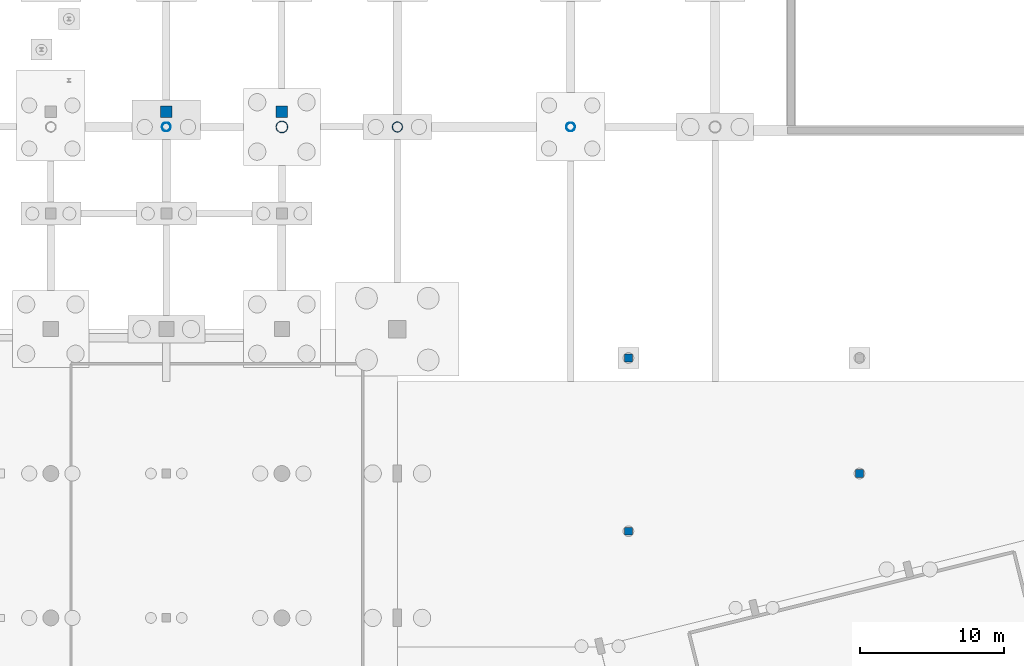
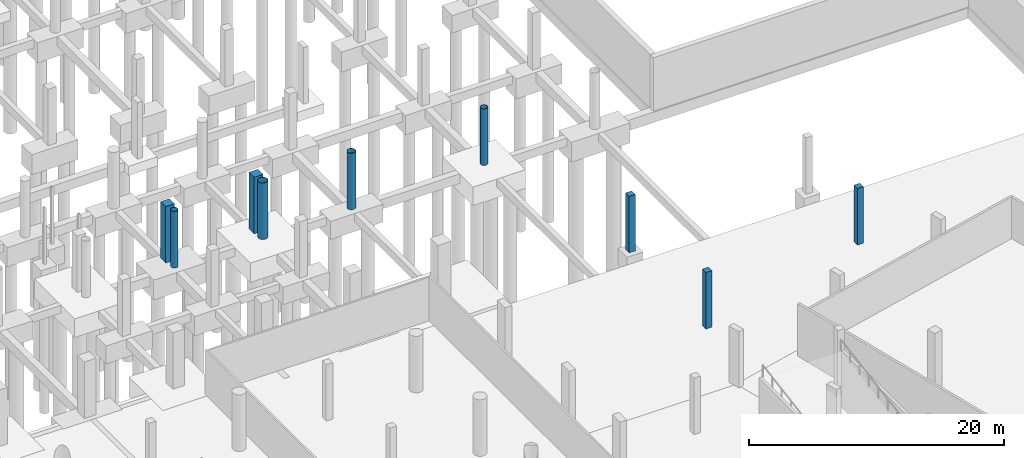
# One storey, part 37 of 65: 9 columns.
"""IFC4 building model written with IfcOpenShell, lengths in metres."""

from ifc_helpers import new_model, si_unit, direction, frame, origin, origin_2d, place, context, subcontext, project, spatial, rectangle, hollow_circle, extrude, material, material_profile, profile_set, type_object, element, save


model = new_model("IFC4")

# Units and contexts
model_context = context("Model", 3, precision=1e-05, world=origin(), true_north=direction((0.0, 1.0)))
body_context = subcontext(model_context, "Body", "Model", "MODEL_VIEW")
ifc_project = project(units=[si_unit("LENGTHUNIT", "METRE"), si_unit("AREAUNIT", "SQUARE_METRE"), si_unit("VOLUMEUNIT", "CUBIC_METRE"), si_unit("PLANEANGLEUNIT", "RADIAN"), si_unit("MASSUNIT", "GRAM", prefix="KILO")], contexts=[model_context])

# Site, building, storey
site_placement = place(None, origin())
site = spatial("IfcSite", under=ifc_project, at=site_placement, CompositionType="ELEMENT")
building_placement = place(site_placement, origin())
building = spatial("IfcBuilding", under=site, at=building_placement, Name="Khorjan Park Terminus", CompositionType="ELEMENT")
storey_placement = place(building_placement, frame((0.0, 0.0, -5.4)))
storey = spatial("IfcBuildingStorey", under=building, at=storey_placement, Name="B1", CompositionType="ELEMENT", Elevation=-5.4)

# Columns
ifc_material_1 = material(Name="Concrete C40/50", Category="concrete")
ifc_material_profile_1 = material_profile(ifc_material_1, rectangle(XDim=0.55, YDim=0.55, at=origin_2d()), Name="RC 550x550")
ifc_profile_set_1 = profile_set([ifc_material_profile_1], Name="Concrete C40/50")
column_type_1 = type_object("IfcColumnType", Name="COL-RC550", PredefinedType="COLUMN", material=ifc_profile_set_1)
for number, where, z_axis, x_axis, name in (
    (1, (152.0, 74.0, 0.0), (0.0, 0.0, 1.0), (1.0, 0.0, 0.0), "Structural column C-RC55 (B1 #986)"),
    (2, (152.0, 86.0, 0.0), (0.0, 0.0, 1.0), (1.0, 0.0, 0.0), "Structural column C-RC55 (B1 #987)"),
    (3, (168.0, 78.0, 0.0), (0.0, 0.0, 1.0), (1.0, 0.0, 0.0), "Structural column C-RC55 (B1 #988)"),
):
    element("IfcColumn", number, at=place(storey_placement, frame(where, z_axis=z_axis, x_axis=x_axis)), inside=storey, type_object=column_type_1, Name=name, PredefinedType="COLUMN", context=body_context, shape_type="SweptSolid", body=[
        extrude(rectangle(XDim=0.55, YDim=0.55, at=origin_2d()), origin(), (0.0, 0.0, 1.0), 5.4),
    ])
ifc_material_profile_2 = material_profile(ifc_material_1, rectangle(XDim=0.8, YDim=0.8, at=origin_2d()), Name="RC 800x800")
ifc_profile_set_2 = profile_set([ifc_material_profile_2], Name="Concrete C40/50")
column_type_2 = type_object("IfcColumnType", Name="COL-RC800", PredefinedType="COLUMN", material=ifc_profile_set_2)
for number, where, z_axis, x_axis, name in (
    (4, (120.0, 103.06, 0.0), (0.0, 0.0, 1.0), (1.0, 0.0, 0.0), "Structural column C-RC08 (B1 #524)"),
    (5, (128.0, 103.06, 0.0), (0.0, 0.0, 1.0), (1.0, 0.0, 0.0), "Structural column C-RC08 (B1 #528)"),
):
    element("IfcColumn", number, at=place(storey_placement, frame(where, z_axis=z_axis, x_axis=x_axis)), inside=storey, type_object=column_type_2, Name=name, PredefinedType="COLUMN", context=body_context, shape_type="SweptSolid", body=[
        extrude(rectangle(XDim=0.8, YDim=0.8, at=origin_2d()), origin(), (0.0, 0.0, 1.0), 5.4),
    ])
ifc_material_2 = material(Name="Steel S355", Category="steel")
ifc_material_profile_3 = material_profile(ifc_material_2, hollow_circle(Radius=0.305, WallThickness=0.02, at=origin_2d()), Name="CHS 610x20")
ifc_profile_set_3 = profile_set([ifc_material_profile_3], Name="Steel S355")
column_type_3 = type_object("IfcColumnType", Name="COL-SH610E", PredefinedType="COLUMN", material=ifc_profile_set_3)
for number, where, z_axis, x_axis, name in (
    (6, (120.0, 102.0, 0.0), (0.0, 0.0, 1.0), (1.0, 0.0, 0.0), "Structural column SC-61 (B1 #176)"),
    (7, (148.0, 102.0, 0.0), (0.0, 0.0, 1.0), (1.0, 0.0, 0.0), "Structural column SC-61 (B1 #206)"),
):
    element("IfcColumn", number, at=place(storey_placement, frame(where, z_axis=z_axis, x_axis=x_axis)), inside=storey, type_object=column_type_3, Name=name, PredefinedType="COLUMN", context=body_context, shape_type="SweptSolid", body=[
        extrude(hollow_circle(Radius=0.305, WallThickness=0.02, at=origin_2d()), origin(), (0.0, 0.0, 1.0), 5.4),
    ])
ifc_material_profile_4 = material_profile(ifc_material_2, hollow_circle(Radius=0.3555, WallThickness=0.025, at=origin_2d()), Name="CHS 711x25")
ifc_profile_set_4 = profile_set([ifc_material_profile_4], Name="Steel S355")
column_type_4 = type_object("IfcColumnType", Name="COL-SH711E", PredefinedType="COLUMN", material=ifc_profile_set_4)
column_1_placement = place(storey_placement, frame((136.0, 102.0, 0.0), z_axis=(0.0, 0.0, 1.0), x_axis=(1.0, 0.0, 0.0)))
element("IfcColumn", 8, at=column_1_placement, inside=storey, type_object=column_type_4, Name="Structural column SC-71 (B1 #194)", PredefinedType="COLUMN", context=body_context, shape_type="SweptSolid", body=[
    extrude(hollow_circle(Radius=0.3555, WallThickness=0.025, at=origin_2d()), origin(), (0.0, 0.0, 1.0), 5.4),
])
ifc_material_profile_5 = material_profile(ifc_material_2, hollow_circle(Radius=0.4065, WallThickness=0.025, at=origin_2d()), Name="CHS 813x25")
ifc_profile_set_5 = profile_set([ifc_material_profile_5], Name="Steel S355")
column_type_5 = type_object("IfcColumnType", Name="COL-SH813E", PredefinedType="COLUMN", material=ifc_profile_set_5)
column_2_placement = place(storey_placement, frame((128.0, 102.0, 0.0), z_axis=(0.0, 0.0, 1.0), x_axis=(1.0, 0.0, 0.0)))
element("IfcColumn", 9, at=column_2_placement, inside=storey, type_object=column_type_5, Name="Structural column SC-81 (B1 #185)", PredefinedType="COLUMN", context=body_context, shape_type="SweptSolid", body=[
    extrude(hollow_circle(Radius=0.4065, WallThickness=0.025, at=origin_2d()), origin(), (0.0, 0.0, 1.0), 5.4),
])

save(model, "model.ifc")
